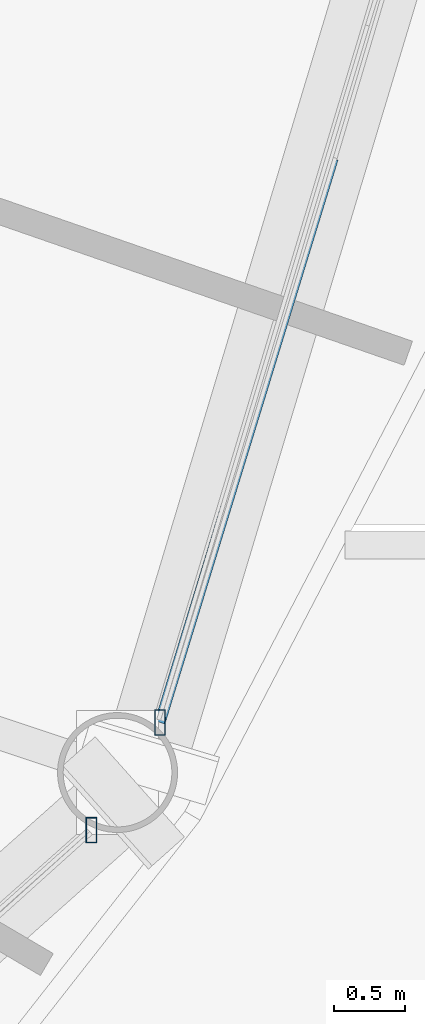
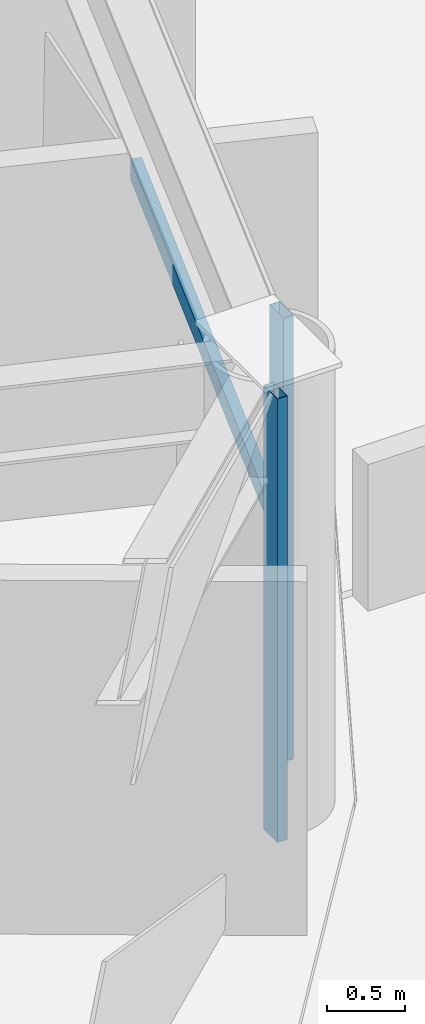
# One storey, part 9 of 27: 3 members, 2 elements without a shape of their own.
"""IFC4 building model written with IfcOpenShell, lengths in metres."""

from ifc_helpers import new_model, si_unit, direction, frame, origin, origin_2d, place, context, subcontext, project, spatial, hollow_rectangle, extrude, material, layer, layer_set, material_profile, profile_set, type_object, element, aggregate, save


model = new_model("IFC4")

# Units and contexts
model_context = context("Model", 3, precision=1e-05, world=origin(), true_north=direction((0.0, 1.0)))
body_context = subcontext(model_context, "Body", "Model", "MODEL_VIEW")
ifc_project = project(units=[si_unit("LENGTHUNIT", "METRE"), si_unit("AREAUNIT", "SQUARE_METRE"), si_unit("VOLUMEUNIT", "CUBIC_METRE"), si_unit("PLANEANGLEUNIT", "RADIAN"), si_unit("MASSUNIT", "GRAM", prefix="KILO")], contexts=[model_context])

# Site, building, storey
site_placement = place(None, origin())
site = spatial("IfcSite", under=ifc_project, at=site_placement, CompositionType="ELEMENT")
building_placement = place(site_placement, origin())
building = spatial("IfcBuilding", under=site, at=building_placement, Name="Vantalir Tower", CompositionType="ELEMENT")
storey_placement = place(building_placement, frame((0.0, 0.0, 27.0)))
storey = spatial("IfcBuildingStorey", under=building, at=storey_placement, Name="L05", CompositionType="ELEMENT", Elevation=27.0)

# Curtain wall, member
ifc_material_1 = material(Name="Champagne-silver PVDF aluminium and double-silver Low-E glass", Category="aluminium")
ifc_layer = layer(ifc_material_1, 0.18994140625)
ifc_layer_set = layer_set([ifc_layer], Name="Champagne-silver PVDF aluminium and double-silver Low-E glass")
curtain_wall_type = type_object("IfcCurtainWallType", Name="CW-DIAMOND-Z1", PredefinedType="USERDEFINED", material=ifc_layer_set)
curtain_wall_1_placement = place(storey_placement, origin())
curtain_wall_1 = element("IfcCurtainWall", 1, at=curtain_wall_1_placement, inside=storey, type_object=curtain_wall_type, Name="L05 Quilted Pyramid-Diamond Curtain Wall S11", ObjectType="UNITISED CURTAIN WALL", PredefinedType="USERDEFINED")
ifc_material_2 = material(Name="Champagne-silver PVDF aluminium 6063-T6", Category="aluminium")
ifc_material_profile_1 = material_profile(ifc_material_2, hollow_rectangle(XDim=0.074951171875, YDim=0.179931640625, WallThickness=0.00390625, at=origin_2d()), Name="Champagne-silver PVDF aluminium 6063-T6")
ifc_profile_set_1 = profile_set([ifc_material_profile_1], Name="Champagne-silver PVDF aluminium 6063-T6")
member_type_1 = type_object("IfcMemberType", Name="CWM-180x75", PredefinedType="MULLION", material=ifc_profile_set_1)
member_1_placement = place(storey_placement, frame((53.35400390625, 13.260009765625, 0.044921875), z_axis=(0.0, 0.0, 1.0), x_axis=(1.0, 0.0, 0.0)))
member_1 = element("IfcMember", 2, at=member_1_placement, type_object=member_type_1, Name="CW-L05-S11 Mullion 2", PredefinedType="MULLION", context=body_context, shape_type="SweptSolid", body=[
    extrude(hollow_rectangle(XDim=0.074951171875, YDim=0.179931640625, WallThickness=0.00390625, at=origin_2d()), origin(), (0.0, 0.0, 1.0), 3.47998046875),
])
aggregate(curtain_wall_1, [member_1])

# Curtain wall, members
curtain_wall_2_placement = place(storey_placement, origin())
curtain_wall_2 = element("IfcCurtainWall", 3, at=curtain_wall_2_placement, inside=storey, type_object=curtain_wall_type, Name="L05 Quilted Pyramid-Diamond Curtain Wall S12", ObjectType="UNITISED CURTAIN WALL", PredefinedType="USERDEFINED")
member_2_placement = place(storey_placement, frame((53.840087890625, 14.02294921875, 0.044921875), z_axis=(0.0, 0.0, 1.0), x_axis=(1.0, 0.0, 0.0)))
member_2 = element("IfcMember", 4, at=member_2_placement, type_object=member_type_1, Name="CW-L05-S12 Mullion 1", PredefinedType="MULLION", context=body_context, shape_type="SweptSolid", body=[
    extrude(hollow_rectangle(XDim=0.074951171875, YDim=0.179931640625, WallThickness=0.00390625, at=origin_2d()), origin(), (0.0, 0.0, 1.0), 3.47998046875),
])
ifc_material_profile_2 = material_profile(ifc_material_2, hollow_rectangle(XDim=0.074951171875, YDim=0.159912109375, WallThickness=0.00390625, at=origin_2d()), Name="Champagne-silver PVDF aluminium 6063-T6")
ifc_profile_set_2 = profile_set([ifc_material_profile_2], Name="Champagne-silver PVDF aluminium 6063-T6")
member_type_2 = type_object("IfcMemberType", Name="CWT-160x75", PredefinedType="USERDEFINED", material=ifc_profile_set_2)
member_3_placement = place(storey_placement, frame((53.840087890625, 14.02294921875, 1.784912109375), z_axis=(0.293465610057, 0.955969631167, 0.0), x_axis=(-0.955969631167, 0.293465610057, 0.0)))
member_3 = element("IfcMember", 5, at=member_3_placement, type_object=member_type_2, Name="CW-L05-S12 Pyramid Fold Ridge Transom", ObjectType="TRANSOM", PredefinedType="USERDEFINED", context=body_context, shape_type="SweptSolid", body=[
    extrude(hollow_rectangle(XDim=0.074951171875, YDim=0.159912109375, WallThickness=0.00390625, at=origin_2d()), origin(), (0.0, 0.0, 1.0), 4.177001953125),
])
aggregate(curtain_wall_2, [member_2, member_3])

save(model, "model.ifc")
